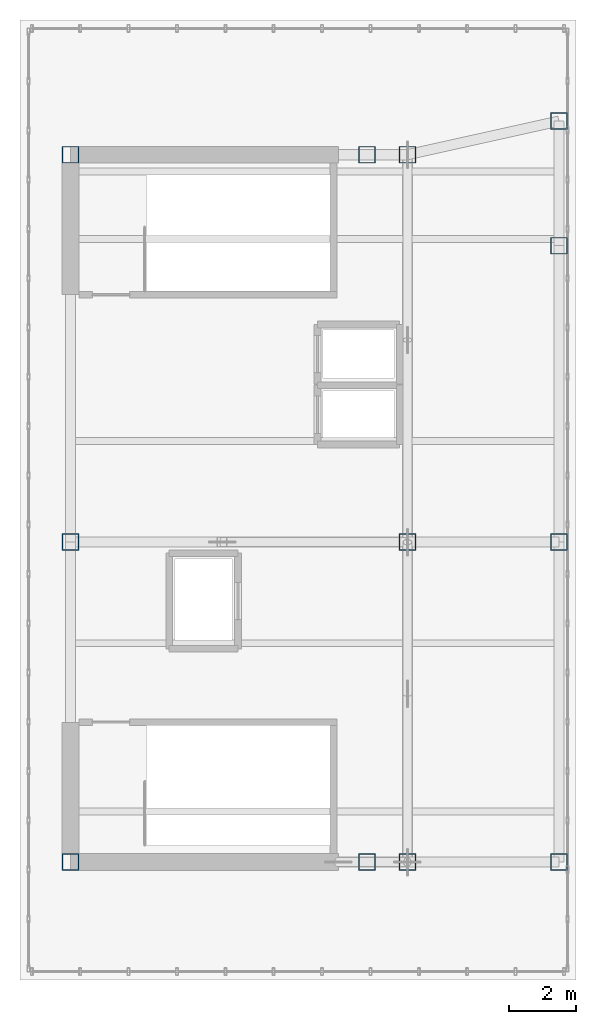
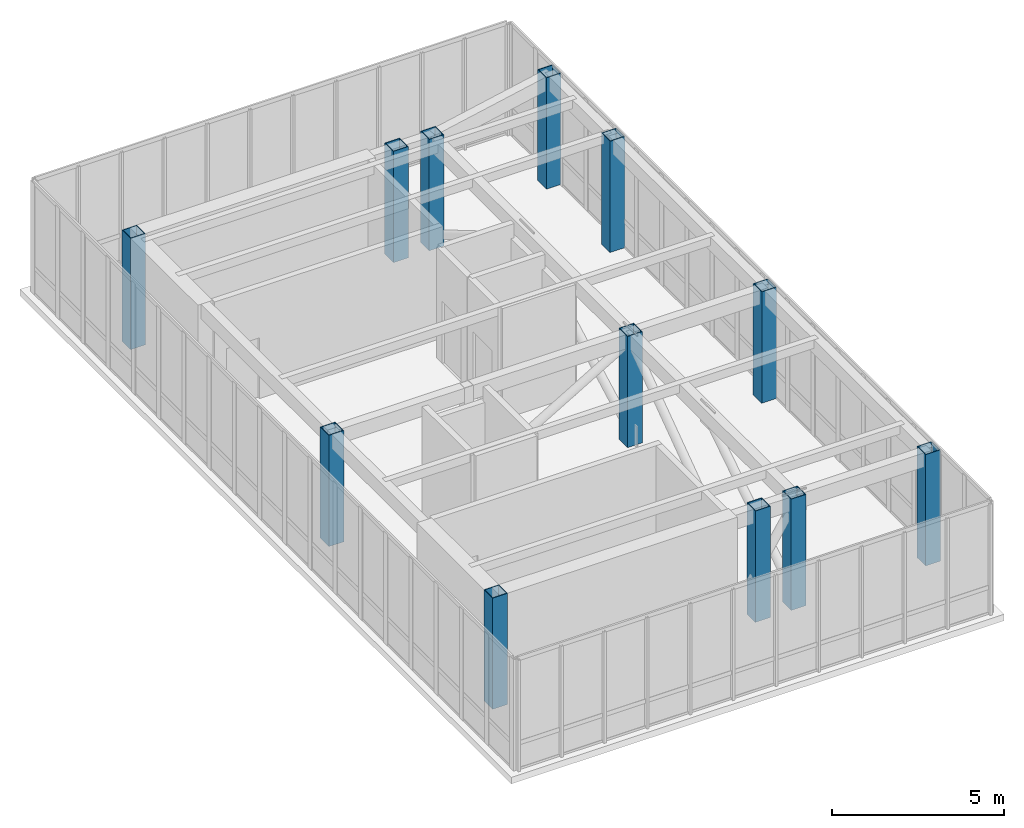
# One storey, part 1 of 13: 12 columns.
"""IFC4 building model written with IfcOpenShell, lengths in metres."""

from ifc_helpers import new_model, si_unit, direction, frame, origin, origin_2d, place, context, subcontext, project, spatial, hollow_rectangle, extrude, source, transform, mapped, material, material_profile, profile_set, type_object, element, save


model = new_model("IFC4")

# Units and contexts
model_context = context("Model", 3, precision=1e-05, world=origin(), true_north=direction((0.0, 1.0)))
body_context = subcontext(model_context, "Body", "Model", "MODEL_VIEW")
ifc_project = project(units=[si_unit("LENGTHUNIT", "METRE"), si_unit("AREAUNIT", "SQUARE_METRE"), si_unit("VOLUMEUNIT", "CUBIC_METRE"), si_unit("PLANEANGLEUNIT", "RADIAN"), si_unit("MASSUNIT", "GRAM", prefix="KILO")], contexts=[model_context])

# Site, building, storey
site_placement = place(None, origin())
site = spatial("IfcSite", under=ifc_project, at=site_placement, CompositionType="ELEMENT")
building_placement = place(site_placement, origin())
building = spatial("IfcBuilding", under=site, at=building_placement, Name="Kharzan Plaza Tower", CompositionType="ELEMENT")
storey_placement = place(building_placement, frame((0.0, 0.0, 298.199951171875)))
storey = spatial("IfcBuildingStorey", under=building, at=storey_placement, Name="L80-CROWN", CompositionType="ELEMENT", Elevation=298.199951171875)

# Columns
ifc_material = material(Name="Steel S355", Category="steel")
ifc_material_profile = material_profile(ifc_material, hollow_rectangle(XDim=0.5, YDim=0.5, WallThickness=0.02490234375, at=origin_2d()), Name="SHS500x500x25")
ifc_profile_set = profile_set([ifc_material_profile], Name="Steel S355")
column_type = type_object("IfcColumnType", Name="COL-LC500", PredefinedType="COLUMN", material=ifc_profile_set)
shared_shape = source(origin(), body_context, "Body", "SweptSolid", [
    extrude(hollow_rectangle(XDim=0.5, YDim=0.5, WallThickness=0.02490234375, at=origin_2d()), origin(), (0.0, 0.0, 1.0), 3.93994140625),
])
for number, where, z_axis, x_axis, name in (
    (1, (4.5, 8.5, 0.0), (0.0, 0.0, 1.0), (1.0, 0.0, 0.0), "L80-CROWN CROWN FRAME Lantern Column LC01"),
    (2, (13.300048828125, 8.5, 0.0), (0.0, 0.0, 1.0), (1.0, 0.0, 0.0), "L80-CROWN CROWN FRAME Lantern Column LC02"),
    (3, (14.5, 8.5, 0.0), (0.0, 0.0, 1.0), (1.0, 0.0, 0.0), "L80-CROWN CROWN FRAME Lantern Column LC03"),
    (4, (4.5, 18.0, 0.0), (0.0, 0.0, 1.0), (1.0, 0.0, 0.0), "L80-CROWN CROWN FRAME Lantern Column LC04"),
    (5, (14.5, 18.0, 0.0), (0.0, 0.0, 1.0), (1.0, 0.0, 0.0), "L80-CROWN CROWN FRAME Lantern Column LC05"),
    (6, (4.5, 29.5, 0.0), (0.0, 0.0, 1.0), (1.0, 0.0, 0.0), "L80-CROWN CROWN FRAME Lantern Column LC06"),
    (7, (13.300048828125, 29.5, 0.0), (0.0, 0.0, 1.0), (1.0, 0.0, 0.0), "L80-CROWN CROWN FRAME Lantern Column LC07"),
    (8, (14.5, 29.5, 0.0), (0.0, 0.0, 1.0), (1.0, 0.0, 0.0), "L80-CROWN CROWN FRAME Lantern Column LC08"),
    (9, (19.0, 8.5, 0.0), (0.0, 0.0, 1.0), (1.0, 0.0, 0.0), "L80-CROWN CROWN FRAME Lantern Column LC09"),
    (10, (19.0, 18.0, 0.0), (0.0, 0.0, 1.0), (1.0, 0.0, 0.0), "L80-CROWN CROWN FRAME Lantern Column LC10"),
    (11, (19.0, 26.800048828125, 0.0), (0.0, 0.0, 1.0), (1.0, 0.0, 0.0), "L80-CROWN CROWN FRAME Lantern Column LC11"),
    (12, (19.0, 30.5, 0.0), (0.0, 0.0, 1.0), (1.0, 0.0, 0.0), "L80-CROWN CROWN FRAME Lantern Column LC12"),
):
    element("IfcColumn", number, at=place(storey_placement, frame(where, z_axis=z_axis, x_axis=x_axis)), inside=storey, type_object=column_type, Name=name, PredefinedType="COLUMN", context=body_context, shape_type="MappedRepresentation", body=[
        mapped(shared_shape, transform((0.0, 0.0, 0.0), x_axis=(1.0, 0.0, 0.0), y_axis=(0.0, 1.0, 0.0), z_axis=(0.0, 0.0, 1.0))),
    ])

save(model, "model.ifc")
